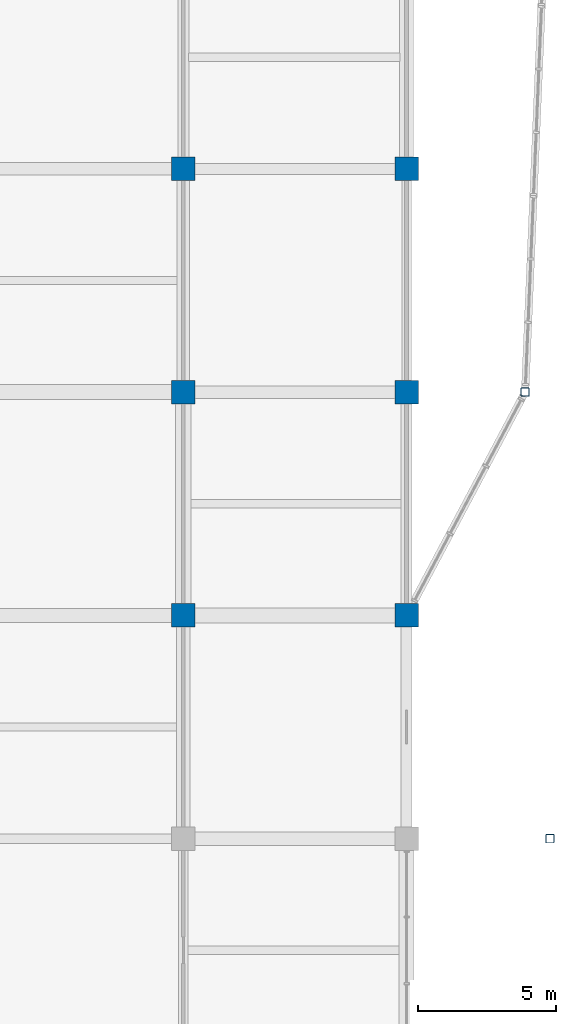
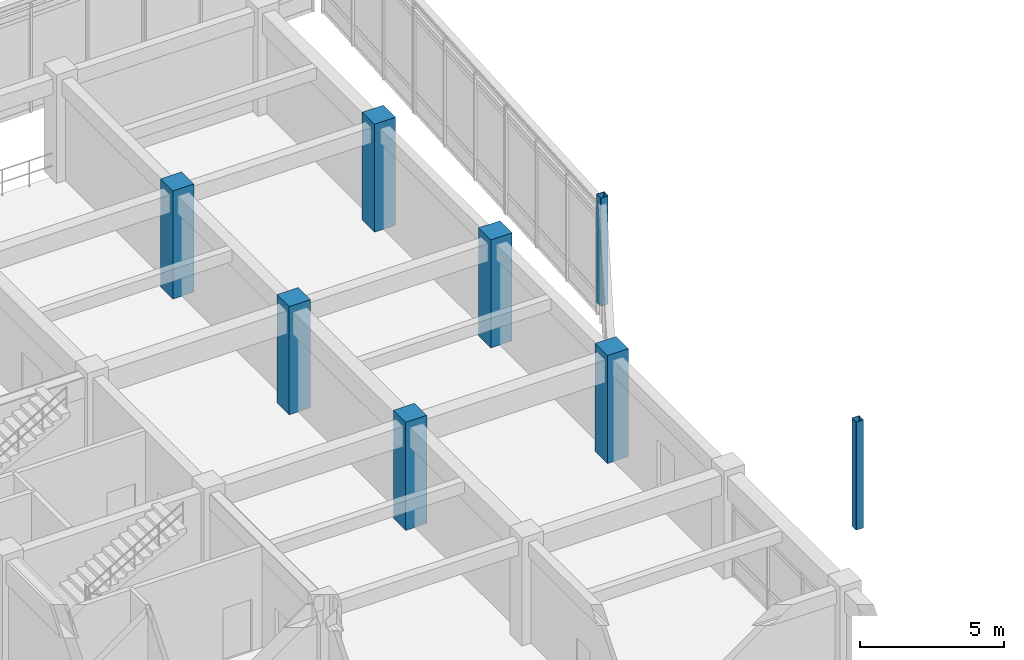
# One storey, part 13 of 93: 8 columns.
"""IFC4 building model written with IfcOpenShell, lengths in metres."""

from ifc_helpers import new_model, si_unit, direction, frame, origin, origin_2d, place, context, subcontext, project, spatial, rectangle, hollow_rectangle, extrude, material, material_profile, profile_set, type_object, element, save


model = new_model("IFC4")

# Units and contexts
model_context = context("Model", 3, precision=1e-05, world=origin(), true_north=direction((0.0, 1.0)))
body_context = subcontext(model_context, "Body", "Model", "MODEL_VIEW")
ifc_project = project(units=[si_unit("LENGTHUNIT", "METRE"), si_unit("AREAUNIT", "SQUARE_METRE"), si_unit("VOLUMEUNIT", "CUBIC_METRE"), si_unit("PLANEANGLEUNIT", "RADIAN"), si_unit("MASSUNIT", "GRAM", prefix="KILO")], contexts=[model_context])

# Site, building, storey
site_placement = place(None, origin())
site = spatial("IfcSite", under=ifc_project, at=site_placement, CompositionType="ELEMENT")
building_placement = place(site_placement, origin())
building = spatial("IfcBuilding", under=site, at=building_placement, Name="Vaudrelin Polytechnic", CompositionType="ELEMENT")
storey_placement = place(building_placement, frame((0.0, 0.0, 5.10009765625)))
storey = spatial("IfcBuildingStorey", under=building, at=storey_placement, Name="L01", CompositionType="ELEMENT", Elevation=5.10009765625)

# Columns
ifc_material_1 = material(Name="Steel CSA G40.21 350WT", Category="steel")
ifc_material_profile_1 = material_profile(ifc_material_1, hollow_rectangle(XDim=0.304931640625, YDim=0.304931640625, WallThickness=0.0126953125, InnerFilletRadius=0.0126953125, OuterFilletRadius=0.025390625, at=origin_2d()), Name="HSS305x305x12.7")
ifc_profile_set_1 = profile_set([ifc_material_profile_1], Name="Steel CSA G40.21 350WT")
column_type_1 = type_object("IfcColumnType", Name="COL-C-HSS305", PredefinedType="COLUMN", material=ifc_profile_set_1)
for number, where, z_axis, x_axis, name in (
    (1, (174.39990234375, 105.300048828125, 0.0), (0.0, 0.0, 1.0), (1.0, 0.0, 0.0), "Deconstructivist column L01 NE_E"),
    (2, (175.300048828125, 89.10009765625, 0.0), (0.0, 0.0, 1.0), (1.0, 0.0, 0.0), "Deconstructivist column L01 E_OR2_2"),
):
    element("IfcColumn", number, at=place(storey_placement, frame(where, z_axis=z_axis, x_axis=x_axis)), inside=storey, type_object=column_type_1, Name=name, PredefinedType="COLUMN", context=body_context, shape_type="SweptSolid", body=[
        extrude(hollow_rectangle(XDim=0.304931640625, YDim=0.304931640625, WallThickness=0.0126953125, InnerFilletRadius=0.0126953125, OuterFilletRadius=0.025390625, at=origin_2d()), origin(), (0.0, 0.0, 1.0), 4.58984375),
    ])
ifc_material_2 = material(Name="Concrete 50 MPa", Category="concrete")
ifc_material_profile_2 = material_profile(ifc_material_2, rectangle(XDim=0.85009765625, YDim=0.85009765625, at=origin_2d()), Name="RC850x850")
ifc_profile_set_2 = profile_set([ifc_material_profile_2], Name="Concrete 50 MPa")
column_type_2 = type_object("IfcColumnType", Name="COL-C-RC850", PredefinedType="COLUMN", material=ifc_profile_set_2)
for number, where, z_axis, x_axis, name in (
    (3, (162.0, 97.199951171875, 0.0), (0.0, 0.0, 1.0), (1.0, 0.0, 0.0), "Column L01 21-13"),
    (4, (162.0, 105.300048828125, 0.0), (0.0, 0.0, 1.0), (1.0, 0.0, 0.0), "Column L01 21-14"),
    (5, (162.0, 113.39990234375, 0.0), (0.0, 0.0, 1.0), (1.0, 0.0, 0.0), "Column L01 21-15"),
    (6, (170.10009765625, 97.199951171875, 0.0), (0.0, 0.0, 1.0), (1.0, 0.0, 0.0), "Column L01 22-13"),
    (7, (170.10009765625, 105.300048828125, 0.0), (0.0, 0.0, 1.0), (1.0, 0.0, 0.0), "Column L01 22-14"),
    (8, (170.10009765625, 113.39990234375, 0.0), (0.0, 0.0, 1.0), (1.0, 0.0, 0.0), "Column L01 22-15"),
):
    element("IfcColumn", number, at=place(storey_placement, frame(where, z_axis=z_axis, x_axis=x_axis)), inside=storey, type_object=column_type_2, Name=name, PredefinedType="COLUMN", context=body_context, shape_type="SweptSolid", body=[
        extrude(rectangle(XDim=0.85009765625, YDim=0.85009765625, at=origin_2d()), origin(), (0.0, 0.0, 1.0), 4.58984375),
    ])

save(model, "model.ifc")
